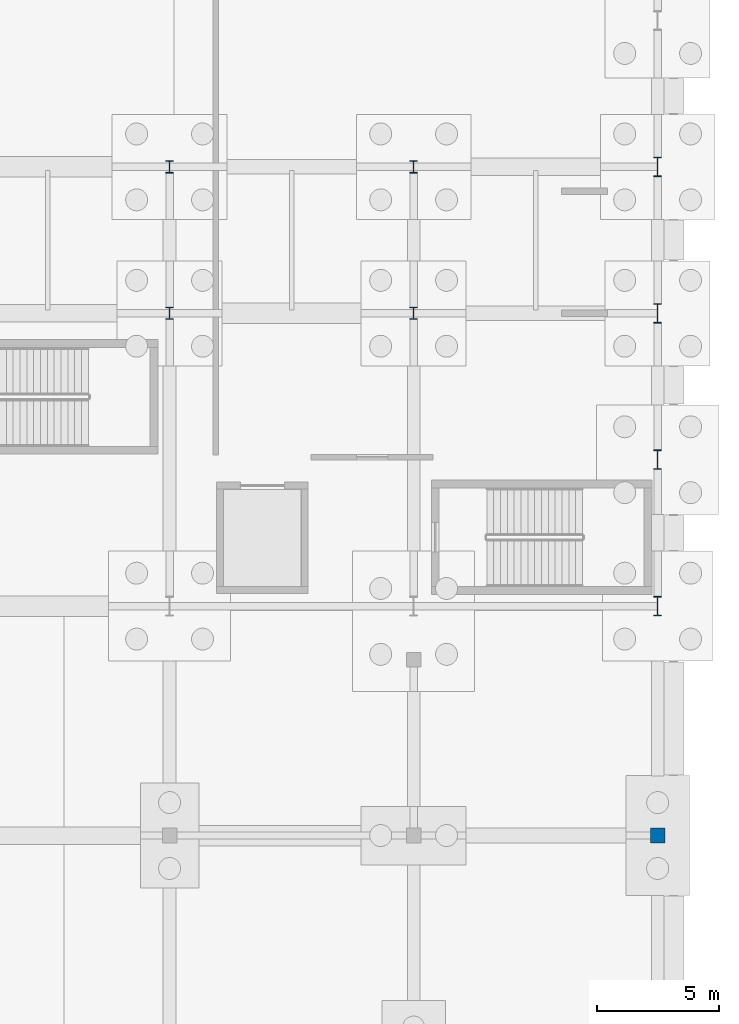
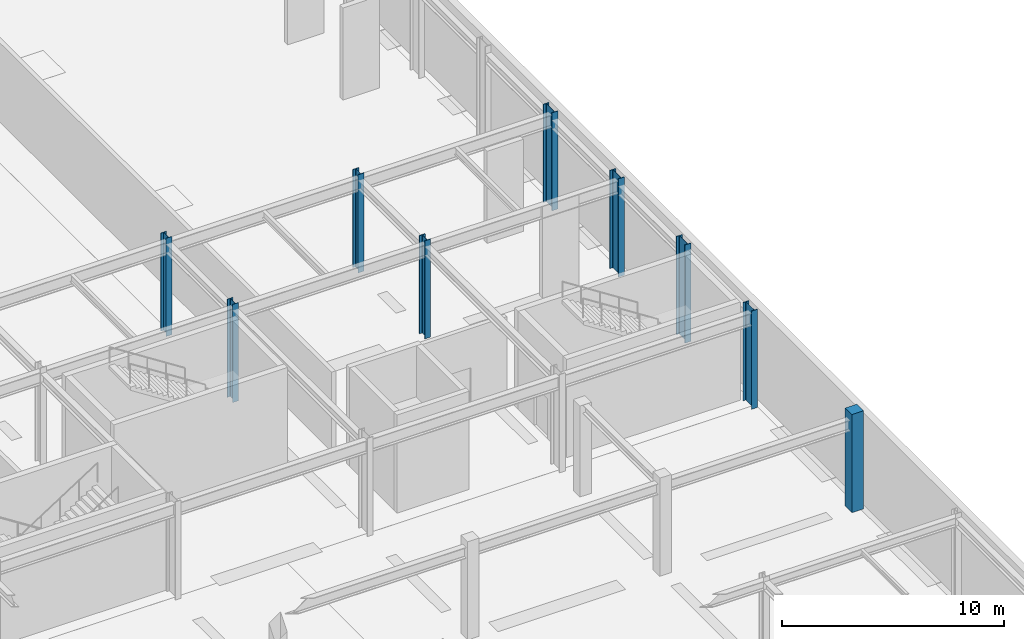
# One storey, part 29 of 65: 9 columns.
"""IFC4 building model written with IfcOpenShell, lengths in metres."""

from ifc_helpers import new_model, si_unit, direction, frame, origin, origin_2d, place, context, subcontext, project, spatial, rectangle, i_section, extrude, material, material_profile, profile_set, type_object, element, save


model = new_model("IFC4")

# Units and contexts
model_context = context("Model", 3, precision=1e-05, world=origin(), true_north=direction((0.0, 1.0)))
body_context = subcontext(model_context, "Body", "Model", "MODEL_VIEW")
ifc_project = project(units=[si_unit("LENGTHUNIT", "METRE"), si_unit("AREAUNIT", "SQUARE_METRE"), si_unit("VOLUMEUNIT", "CUBIC_METRE"), si_unit("PLANEANGLEUNIT", "RADIAN"), si_unit("MASSUNIT", "GRAM", prefix="KILO")], contexts=[model_context])

# Site, building, storey
site_placement = place(None, origin())
site = spatial("IfcSite", under=ifc_project, at=site_placement, CompositionType="ELEMENT")
building_placement = place(site_placement, origin())
building = spatial("IfcBuilding", under=site, at=building_placement, Name="Kaldris Quays Convention Centre", CompositionType="ELEMENT")
storey_placement = place(building_placement, frame((0.0, 0.0, -5.39990234375)))
storey = spatial("IfcBuildingStorey", under=building, at=storey_placement, Name="B1", CompositionType="ELEMENT", Elevation=-5.39990234375)

# Columns
ifc_material_1 = material(Name="Steel S355J2", Category="steel")
ifc_material_profile_1 = material_profile(ifc_material_1, i_section(OverallWidth=0.300048828125, OverallDepth=0.800048828125, WebThickness=0.017578125, FlangeThickness=0.032958984375, FilletRadius=0.030029296875, at=origin_2d()), Name="HEB 800")
ifc_profile_set_1 = profile_set([ifc_material_profile_1], Name="Steel S355J2")
column_type_1 = type_object("IfcColumnType", Name="STRUCTURAL COLUMN CL04", PredefinedType="COLUMN", material=ifc_profile_set_1)
for number, where, z_axis, x_axis, name in (
    (1, (204.0, 56.0, 0.0), (0.0, 0.0, 1.0), (1.0, 0.0, 0.0), "B1 V2 Column CL04 (204.00, 56.00)"),
    (2, (204.0, 62.0, 0.0), (0.0, 0.0, 1.0), (1.0, 0.0, 0.0), "B1 V2 Column CL04 (204.00, 62.00)"),
    (3, (204.0, 68.0, 0.0), (0.0, 0.0, 1.0), (1.0, 0.0, 0.0), "B1 V2 Column CL04 (204.00, 68.00)"),
    (4, (204.0, 74.0, 0.0), (0.0, 0.0, 1.0), (1.0, 0.0, 0.0), "B1 V2 Column CL04 (204.00, 74.00)"),
):
    element("IfcColumn", number, at=place(storey_placement, frame(where, z_axis=z_axis, x_axis=x_axis)), inside=storey, type_object=column_type_1, Name=name, PredefinedType="COLUMN", context=body_context, shape_type="SweptSolid", body=[
        extrude(i_section(OverallWidth=0.300048828125, OverallDepth=0.800048828125, WebThickness=0.017578125, FlangeThickness=0.032958984375, FilletRadius=0.030029296875, at=origin_2d()), origin(), (0.0, 0.0, 1.0), 5.39990234375),
    ])
ifc_material_profile_2 = material_profile(ifc_material_1, i_section(OverallWidth=0.300048828125, OverallDepth=0.5, WebThickness=0.014404296875, FlangeThickness=0.028076171875, FilletRadius=0.027099609375, at=origin_2d()), Name="HEB 500")
ifc_profile_set_2 = profile_set([ifc_material_profile_2], Name="Steel S355J2")
column_type_2 = type_object("IfcColumnType", Name="STRUCTURAL COLUMN CL07", PredefinedType="COLUMN", material=ifc_profile_set_2)
for number, where, z_axis, x_axis, name in (
    (5, (184.0, 68.0, 0.0), (0.0, 0.0, 1.0), (1.0, 0.0, 0.0), "B1 V2 Column CL07 (184.00, 68.00)"),
    (6, (184.0, 74.0, 0.0), (0.0, 0.0, 1.0), (1.0, 0.0, 0.0), "B1 V2 Column CL07 (184.00, 74.00)"),
    (7, (194.0, 68.0, 0.0), (0.0, 0.0, 1.0), (1.0, 0.0, 0.0), "B1 V2 Column CL07 (194.00, 68.00)"),
    (8, (194.0, 74.0, 0.0), (0.0, 0.0, 1.0), (1.0, 0.0, 0.0), "B1 V2 Column CL07 (194.00, 74.00)"),
):
    element("IfcColumn", number, at=place(storey_placement, frame(where, z_axis=z_axis, x_axis=x_axis)), inside=storey, type_object=column_type_2, Name=name, PredefinedType="COLUMN", context=body_context, shape_type="SweptSolid", body=[
        extrude(i_section(OverallWidth=0.300048828125, OverallDepth=0.5, WebThickness=0.014404296875, FlangeThickness=0.028076171875, FilletRadius=0.027099609375, at=origin_2d()), origin(), (0.0, 0.0, 1.0), 5.39990234375),
    ])
ifc_material_2 = material(Name="Concrete C40/50", Category="concrete")
ifc_material_profile_3 = material_profile(ifc_material_2, rectangle(XDim=0.60009765625, YDim=0.60009765625, at=origin_2d()), Name="RC 600x600")
ifc_profile_set_3 = profile_set([ifc_material_profile_3], Name="Concrete C40/50")
column_type_3 = type_object("IfcColumnType", Name="STRUCTURAL COLUMN CL15", PredefinedType="COLUMN", material=ifc_profile_set_3)
column_placement = place(storey_placement, frame((204.0, 46.60009765625, 0.0), z_axis=(0.0, 0.0, 1.0), x_axis=(1.0, 0.0, 0.0)))
element("IfcColumn", 9, at=column_placement, inside=storey, type_object=column_type_3, Name="B1 V4 Column CL15 (204.00, 46.60)", PredefinedType="COLUMN", context=body_context, shape_type="SweptSolid", body=[
    extrude(rectangle(XDim=0.60009765625, YDim=0.60009765625, at=origin_2d()), origin(), (0.0, 0.0, 1.0), 5.39990234375),
])

save(model, "model.ifc")
